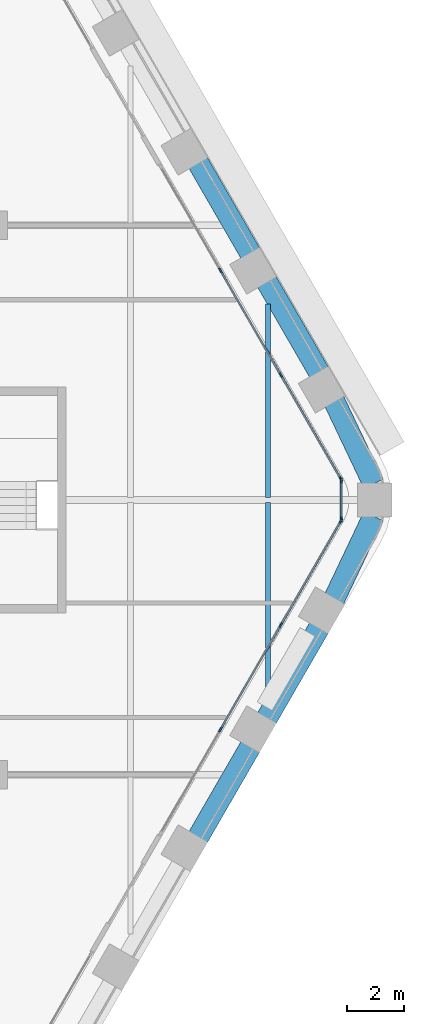
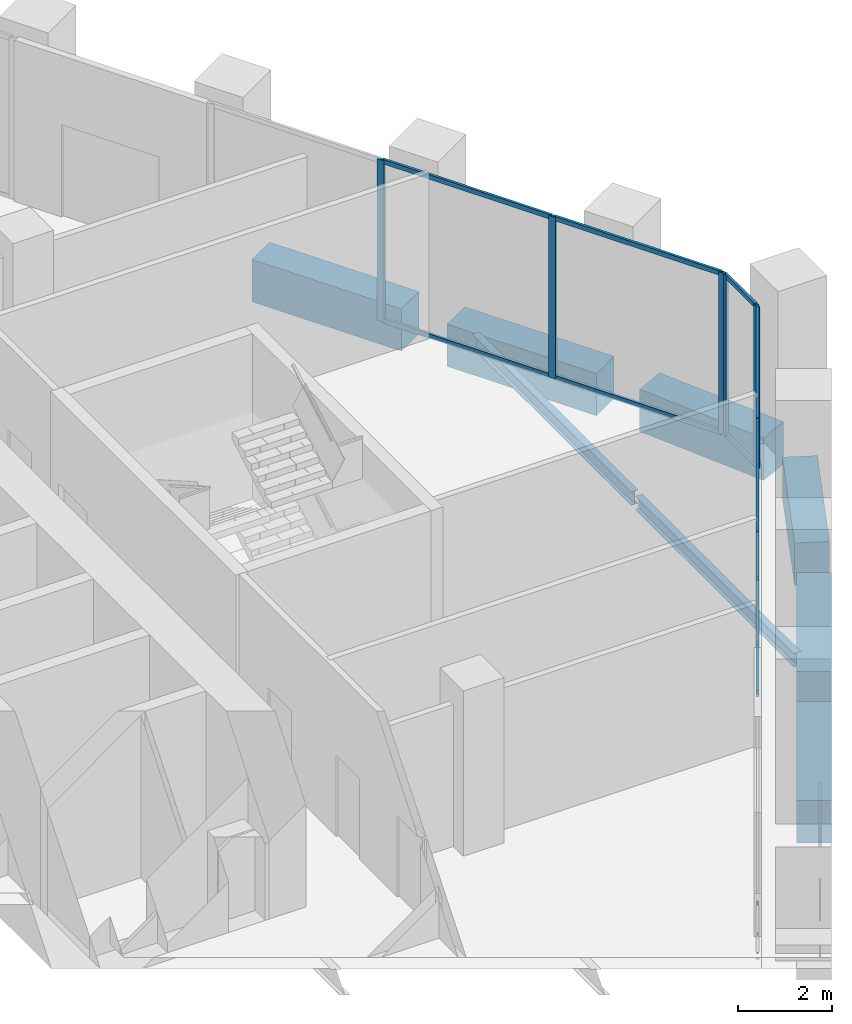
# One storey, part 11 of 27: 18 members, 8 beams, 3 elements without a shape of their own.
"""IFC4 building model written with IfcOpenShell, lengths in metres."""

from ifc_helpers import new_model, si_unit, direction, frame, origin, origin_2d, place, context, subcontext, project, spatial, rectangle, i_section, extrude, material, material_profile, profile_set, type_object, element, aggregate, save


model = new_model("IFC4")

# Units and contexts
model_context = context("Model", 3, precision=1e-05, world=origin(), true_north=direction((0.0, 1.0)))
body_context = subcontext(model_context, "Body", "Model", "MODEL_VIEW")
ifc_project = project(units=[si_unit("LENGTHUNIT", "METRE"), si_unit("AREAUNIT", "SQUARE_METRE"), si_unit("VOLUMEUNIT", "CUBIC_METRE"), si_unit("PLANEANGLEUNIT", "RADIAN"), si_unit("MASSUNIT", "GRAM", prefix="KILO")], contexts=[model_context])

# Site, building, storey
site_placement = place(None, origin())
site = spatial("IfcSite", under=ifc_project, at=site_placement, CompositionType="ELEMENT")
building_placement = place(site_placement, origin())
building = spatial("IfcBuilding", under=site, at=building_placement, Name="Kolab Exchange Tower", CompositionType="ELEMENT")
storey_placement = place(building_placement, frame((0.0, 0.0, 118.39990234375)))
storey = spatial("IfcBuildingStorey", under=building, at=storey_placement, Name="L23", CompositionType="ELEMENT", Elevation=118.39990234375)

# Beams
ifc_material_1 = material(Name="Steel S355", Category="steel")
ifc_material_profile_1 = material_profile(ifc_material_1, i_section(OverallWidth=0.1708984375, OverallDepth=0.35498046875, WebThickness=0.007080078125, FlangeThickness=0.01171875, at=origin_2d()), Name="W360X51")
ifc_profile_set_1 = profile_set([ifc_material_profile_1], Name="Steel S355")
beam_type_1 = type_object("IfcBeamType", Name="FLOOR BEAM W360X51", PredefinedType="BEAM", material=ifc_profile_set_1)
for number, where, z_axis, x_axis, name in (
    (1, (28.800048828125, -6.853759765625, -0.37744140625), (0.0, 1.0, 0.0), (-1.0, 0.0, 0.0), "beam/L23/fr/050"),
    (2, (28.800048828125, 0.0869140625, -0.37744140625), (0.0, 1.0, 0.0), (-1.0, 0.0, 0.0), "beam/L23/fr/051"),
):
    element("IfcBeam", number, at=place(storey_placement, frame(where, z_axis=z_axis, x_axis=x_axis)), inside=storey, type_object=beam_type_1, Name=name, PredefinedType="BEAM", context=body_context, shape_type="SweptSolid", body=[
        extrude(i_section(OverallWidth=0.1708984375, OverallDepth=0.35498046875, WebThickness=0.007080078125, FlangeThickness=0.01171875, at=origin_2d()), origin(), (0.0, 0.0, 1.0), 6.766845703125),
    ])
ifc_material_2 = material(Name="Concrete C70/85", Category="concrete")
ifc_material_profile_2 = material_profile(ifc_material_2, rectangle(XDim=0.75, YDim=1.10009765625, at=origin_2d()), Name="RC750X1100")
ifc_profile_set_2 = profile_set([ifc_material_profile_2], Name="Concrete C70/85")
beam_type_2 = type_object("IfcBeamType", Name="SPANDREL BEAM 750X1100 C70/85", PredefinedType="BEAM", material=ifc_profile_set_2)
for number, where, z_axis, x_axis, name in (
    (3, (26.355224609375, 11.79833984375, -0.75), (0.500013413428, -0.866017659399, 0.0), (0.866017659399, 0.500013413428, 0.0), "beam/L23/sp/F2-05"),
    (4, (28.755126953125, 7.641357421875, -0.75), (0.500013413428, -0.866017659399, 0.0), (0.866017659399, 0.500013413428, 0.0), "beam/L23/sp/F2-06"),
):
    element("IfcBeam", number, at=place(storey_placement, frame(where, z_axis=z_axis, x_axis=x_axis)), inside=storey, type_object=beam_type_2, Name=name, PredefinedType="BEAM", context=body_context, shape_type="SweptSolid", body=[
        extrude(rectangle(XDim=0.75, YDim=1.10009765625, at=origin_2d()), origin(), (0.0, 0.0, 1.0), 3.68017578125),
    ])
for number, where, z_axis, x_axis, name in (
    (5, (31.116455078125, 3.4619140625, -0.75), (0.429041292193, -0.903284877319, 0.0), (0.903284877319, 0.429041292193, 0.0), "beam/L23/sp/F2-07"),
    (6, (32.492919921875, -0.56396484375, -0.75), (-0.429041292193, -0.903284877319, 0.0), (0.903284877319, -0.429041292193, 0.0), "beam/L23/sp/F3-01"),
):
    element("IfcBeam", number, at=place(storey_placement, frame(where, z_axis=z_axis, x_axis=x_axis)), inside=storey, type_object=beam_type_2, Name=name, PredefinedType="BEAM", context=body_context, shape_type="SweptSolid", body=[
        extrude(rectangle(XDim=0.75, YDim=1.10009765625, at=origin_2d()), origin(), (0.0, 0.0, 1.0), 3.208251953125),
    ])
for number, where, z_axis, x_axis, name in (
    (7, (30.59521484375, -4.454345703125, -0.75), (-0.500013413428, -0.866017659399, 0.0), (0.866017659399, -0.500013413428, 0.0), "beam/L23/sp/F3-02"),
    (8, (28.1953125, -8.611328125, -0.75), (-0.500013413428, -0.866017659399, 0.0), (0.866017659399, -0.500013413428, 0.0), "beam/L23/sp/F3-03"),
):
    element("IfcBeam", number, at=place(storey_placement, frame(where, z_axis=z_axis, x_axis=x_axis)), inside=storey, type_object=beam_type_2, Name=name, PredefinedType="BEAM", context=body_context, shape_type="SweptSolid", body=[
        extrude(rectangle(XDim=0.75, YDim=1.10009765625, at=origin_2d()), origin(), (0.0, 0.0, 1.0), 3.68017578125),
    ])

# Curtain wall, members
ifc_material_3 = material(Name="Aluminium EN AW-6063 T6", Category="aluminium")
curtain_wall_type = type_object("IfcCurtainWallType", Name="UNITISED LOWER MID ZONE CURTAIN WALL", PredefinedType="NOTDEFINED", material=ifc_material_3)
curtain_wall_1_placement = place(storey_placement, origin())
curtain_wall_1 = element("IfcCurtainWall", 9, at=curtain_wall_1_placement, inside=storey, type_object=curtain_wall_type, Name="cw/L23/F2-2", PredefinedType="NOTDEFINED")
ifc_material_profile_3 = material_profile(ifc_material_3, rectangle(XDim=0.06005859375, YDim=0.179931640625, at=origin_2d()), Name="RECT 60X180")
ifc_profile_set_3 = profile_set([ifc_material_profile_3], Name="Aluminium EN AW-6063 T6")
member_type_1 = type_object("IfcMemberType", Name="UNITISED LOWER MID ZONE MULLION 60 X 180", PredefinedType="MULLION", material=ifc_profile_set_3)
member_1_placement = place(storey_placement, frame((27.14306640625, 8.02392578125, 0.0), z_axis=(0.0, 0.0, 1.0), x_axis=(0.866025427826, 0.499999958358, 0.0)))
member_1 = element("IfcMember", 10, at=member_1_placement, type_object=member_type_1, Name="CW2 mullion 2", PredefinedType="MULLION", context=body_context, shape_type="SweptSolid", body=[
    extrude(rectangle(XDim=0.06005859375, YDim=0.179931640625, at=origin_2d()), origin(), (0.0, 0.0, 1.0), 4.2001953125),
])
member_2_placement = place(storey_placement, frame((29.25439453125, 4.366943359375, 0.0), z_axis=(0.0, 0.0, 1.0), x_axis=(0.866025427826, 0.499999958358, 0.0)))
member_2 = element("IfcMember", 11, at=member_2_placement, type_object=member_type_1, Name="CW2 mullion 3", PredefinedType="MULLION", context=body_context, shape_type="SweptSolid", body=[
    extrude(rectangle(XDim=0.06005859375, YDim=0.179931640625, at=origin_2d()), origin(), (0.0, 0.0, 1.0), 4.2001953125),
])
member_3_placement = place(storey_placement, frame((31.3505859375, 0.736083984375, 0.0), z_axis=(0.0, 0.0, 1.0), x_axis=(0.866025427826, 0.499999958358, 0.0)))
member_3 = element("IfcMember", 12, at=member_3_placement, type_object=member_type_1, Name="CW2 mullion 4", PredefinedType="MULLION", context=body_context, shape_type="SweptSolid", body=[
    extrude(rectangle(XDim=0.06005859375, YDim=0.179931640625, at=origin_2d()), origin(), (0.0, 0.0, 1.0), 4.2001953125),
])

curtain_wall_2_placement = place(storey_placement, origin())
curtain_wall_2 = element("IfcCurtainWall", 13, at=curtain_wall_2_placement, inside=storey, type_object=curtain_wall_type, Name="cw/L23/F3-1", PredefinedType="NOTDEFINED")
member_4_placement = place(storey_placement, frame((31.3505859375, -0.736083984375, 0.0), z_axis=(0.0, 0.0, 1.0), x_axis=(0.866025427826, -0.499999958358, 0.0)))
member_4 = element("IfcMember", 14, at=member_4_placement, type_object=member_type_1, Name="CW2 mullion 1", PredefinedType="MULLION", context=body_context, shape_type="SweptSolid", body=[
    extrude(rectangle(XDim=0.06005859375, YDim=0.179931640625, at=origin_2d()), origin(), (0.0, 0.0, 1.0), 4.2001953125),
])
member_5_placement = place(storey_placement, frame((29.25439453125, -4.366943359375, 0.0), z_axis=(0.0, 0.0, 1.0), x_axis=(0.866025427826, -0.499999958358, 0.0)))
member_5 = element("IfcMember", 15, at=member_5_placement, type_object=member_type_1, Name="CW2 mullion 2", PredefinedType="MULLION", context=body_context, shape_type="SweptSolid", body=[
    extrude(rectangle(XDim=0.06005859375, YDim=0.179931640625, at=origin_2d()), origin(), (0.0, 0.0, 1.0), 4.2001953125),
])
member_6_placement = place(storey_placement, frame((27.14306640625, -8.02392578125, 0.0), z_axis=(0.0, 0.0, 1.0), x_axis=(0.866025427826, -0.499999958358, 0.0)))
member_6 = element("IfcMember", 16, at=member_6_placement, type_object=member_type_1, Name="CW2 mullion 3", PredefinedType="MULLION", context=body_context, shape_type="SweptSolid", body=[
    extrude(rectangle(XDim=0.06005859375, YDim=0.179931640625, at=origin_2d()), origin(), (0.0, 0.0, 1.0), 4.2001953125),
])

curtain_wall_3_placement = place(storey_placement, origin())
curtain_wall_3 = element("IfcCurtainWall", 17, at=curtain_wall_3_placement, inside=storey, type_object=curtain_wall_type, Name="cw/L23/F2F3-corner", PredefinedType="NOTDEFINED")
member_7_placement = place(storey_placement, frame((31.36572265625, 0.679931640625, 0.0), z_axis=(0.0, 0.0, 1.0), x_axis=(1.0, 0.0, 0.0)))
member_7 = element("IfcMember", 18, at=member_7_placement, type_object=member_type_1, Name="CW2 mullion 1", PredefinedType="MULLION", context=body_context, shape_type="SweptSolid", body=[
    extrude(rectangle(XDim=0.06005859375, YDim=0.179931640625, at=origin_2d()), origin(), (0.0, 0.0, 1.0), 4.2001953125),
])
member_8_placement = place(storey_placement, frame((31.36572265625, -0.679931640625, 0.0), z_axis=(0.0, 0.0, 1.0), x_axis=(1.0, 0.0, 0.0)))
member_8 = element("IfcMember", 19, at=member_8_placement, type_object=member_type_1, Name="CW2 mullion 2", PredefinedType="MULLION", context=body_context, shape_type="SweptSolid", body=[
    extrude(rectangle(XDim=0.06005859375, YDim=0.179931640625, at=origin_2d()), origin(), (0.0, 0.0, 1.0), 4.2001953125),
])

# Member
ifc_material_profile_4 = material_profile(ifc_material_3, rectangle(XDim=0.06005859375, YDim=0.1201171875, at=origin_2d()), Name="RECT 60X120")
ifc_profile_set_4 = profile_set([ifc_material_profile_4], Name="Aluminium EN AW-6063 T6")
member_type_2 = type_object("IfcMemberType", Name="UNITISED LOWER MID ZONE TRANSOM 60 X 120", PredefinedType="USERDEFINED", material=ifc_profile_set_4)
member_9_placement = place(storey_placement, frame((27.157958984375, 7.997802734375, 0.030029296875), z_axis=(0.49999322259, -0.866029316688, 0.0), x_axis=(0.866029316688, 0.49999322259, 0.0)))
member_9 = element("IfcMember", 20, at=member_9_placement, type_object=member_type_2, Name="CW2 transom 2.1", ObjectType="TRANSOM", PredefinedType="USERDEFINED", context=body_context, shape_type="SweptSolid", body=[
    extrude(rectangle(XDim=0.06005859375, YDim=0.1201171875, at=origin_2d()), origin(), (0.0, 0.0, 1.0), 4.16259765625),
])

member_10_placement = place(storey_placement, frame((27.157958984375, 7.997802734375, 4.170166015625), z_axis=(0.49999322259, -0.866029316688, 0.0), x_axis=(0.866029316688, 0.49999322259, 0.0)))
member_10 = element("IfcMember", 21, at=member_10_placement, type_object=member_type_2, Name="CW2 transom 2.2", ObjectType="TRANSOM", PredefinedType="USERDEFINED", context=body_context, shape_type="SweptSolid", body=[
    extrude(rectangle(XDim=0.06005859375, YDim=0.1201171875, at=origin_2d()), origin(), (0.0, 0.0, 1.0), 4.16259765625),
])

member_11_placement = place(storey_placement, frame((29.269287109375, 4.3408203125, 0.030029296875), z_axis=(0.500027577057, -0.866009481578, 0.0), x_axis=(0.866009481578, 0.500027577057, 0.0)))
member_11 = element("IfcMember", 22, at=member_11_placement, type_object=member_type_2, Name="CW2 transom 3.1", ObjectType="TRANSOM", PredefinedType="USERDEFINED", context=body_context, shape_type="SweptSolid", body=[
    extrude(rectangle(XDim=0.06005859375, YDim=0.1201171875, at=origin_2d()), origin(), (0.0, 0.0, 1.0), 4.132568359375),
])

member_12_placement = place(storey_placement, frame((29.269287109375, 4.3408203125, 4.170166015625), z_axis=(0.500027577057, -0.866009481578, 0.0), x_axis=(0.866009481578, 0.500027577057, 0.0)))
member_12 = element("IfcMember", 23, at=member_12_placement, type_object=member_type_2, Name="CW2 transom 3.2", ObjectType="TRANSOM", PredefinedType="USERDEFINED", context=body_context, shape_type="SweptSolid", body=[
    extrude(rectangle(XDim=0.06005859375, YDim=0.1201171875, at=origin_2d()), origin(), (0.0, 0.0, 1.0), 4.132568359375),
])

aggregate(curtain_wall_1, [member_1, member_2, member_3, member_9, member_10, member_11, member_12])

member_13_placement = place(storey_placement, frame((31.335693359375, -0.761962890625, 0.030029296875), z_axis=(-0.500027577057, -0.866009481578, 0.0), x_axis=(0.866009481578, -0.500027577057, 0.0)))
member_13 = element("IfcMember", 24, at=member_13_placement, type_object=member_type_2, Name="CW2 transom 1.1", ObjectType="TRANSOM", PredefinedType="USERDEFINED", context=body_context, shape_type="SweptSolid", body=[
    extrude(rectangle(XDim=0.06005859375, YDim=0.1201171875, at=origin_2d()), origin(), (0.0, 0.0, 1.0), 4.132568359375),
])

member_14_placement = place(storey_placement, frame((31.335693359375, -0.761962890625, 4.170166015625), z_axis=(-0.500027577057, -0.866009481578, 0.0), x_axis=(0.866009481578, -0.500027577057, 0.0)))
member_14 = element("IfcMember", 25, at=member_14_placement, type_object=member_type_2, Name="CW2 transom 1.2", ObjectType="TRANSOM", PredefinedType="USERDEFINED", context=body_context, shape_type="SweptSolid", body=[
    extrude(rectangle(XDim=0.06005859375, YDim=0.1201171875, at=origin_2d()), origin(), (0.0, 0.0, 1.0), 4.132568359375),
])

member_15_placement = place(storey_placement, frame((29.2392578125, -4.392822265625, 0.030029296875), z_axis=(-0.49999322259, -0.866029316688, 0.0), x_axis=(0.866029316688, -0.49999322259, 0.0)))
member_15 = element("IfcMember", 26, at=member_15_placement, type_object=member_type_2, Name="CW2 transom 2.1", ObjectType="TRANSOM", PredefinedType="USERDEFINED", context=body_context, shape_type="SweptSolid", body=[
    extrude(rectangle(XDim=0.06005859375, YDim=0.1201171875, at=origin_2d()), origin(), (0.0, 0.0, 1.0), 4.16259765625),
])

member_16_placement = place(storey_placement, frame((29.2392578125, -4.392822265625, 4.170166015625), z_axis=(-0.49999322259, -0.866029316688, 0.0), x_axis=(0.866029316688, -0.49999322259, 0.0)))
member_16 = element("IfcMember", 27, at=member_16_placement, type_object=member_type_2, Name="CW2 transom 2.2", ObjectType="TRANSOM", PredefinedType="USERDEFINED", context=body_context, shape_type="SweptSolid", body=[
    extrude(rectangle(XDim=0.06005859375, YDim=0.1201171875, at=origin_2d()), origin(), (0.0, 0.0, 1.0), 4.16259765625),
])

aggregate(curtain_wall_2, [member_4, member_5, member_6, member_13, member_14, member_15, member_16])

member_17_placement = place(storey_placement, frame((31.36572265625, 0.64990234375, 0.030029296875), z_axis=(0.0, -1.0, 0.0), x_axis=(1.0, 0.0, 0.0)))
member_17 = element("IfcMember", 28, at=member_17_placement, type_object=member_type_2, Name="CW2 transom 1.1", ObjectType="TRANSOM", PredefinedType="USERDEFINED", context=body_context, shape_type="SweptSolid", body=[
    extrude(rectangle(XDim=0.06005859375, YDim=0.1201171875, at=origin_2d()), origin(), (0.0, 0.0, 1.0), 1.2998046875),
])

member_18_placement = place(storey_placement, frame((31.36572265625, 0.64990234375, 4.170166015625), z_axis=(0.0, -1.0, 0.0), x_axis=(1.0, 0.0, 0.0)))
member_18 = element("IfcMember", 29, at=member_18_placement, type_object=member_type_2, Name="CW2 transom 1.2", ObjectType="TRANSOM", PredefinedType="USERDEFINED", context=body_context, shape_type="SweptSolid", body=[
    extrude(rectangle(XDim=0.06005859375, YDim=0.1201171875, at=origin_2d()), origin(), (0.0, 0.0, 1.0), 1.2998046875),
])

aggregate(curtain_wall_3, [member_7, member_8, member_17, member_18])

save(model, "model.ifc")
